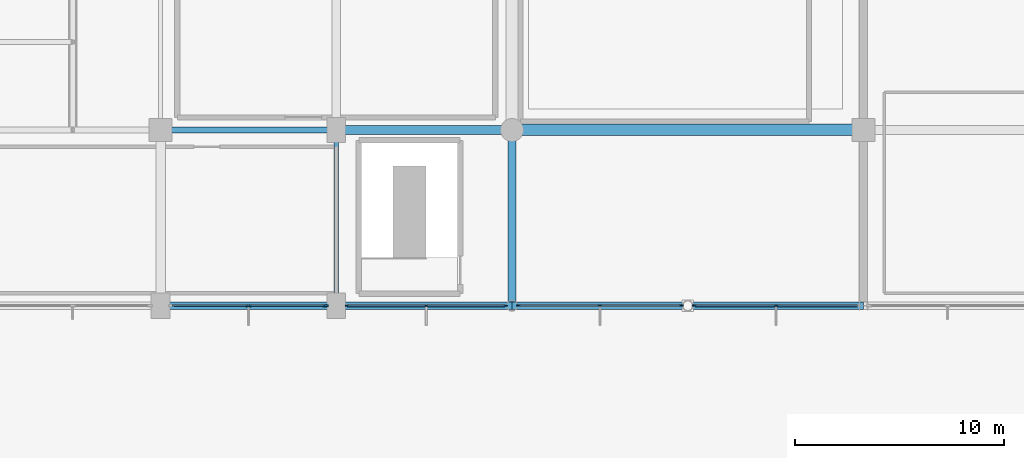
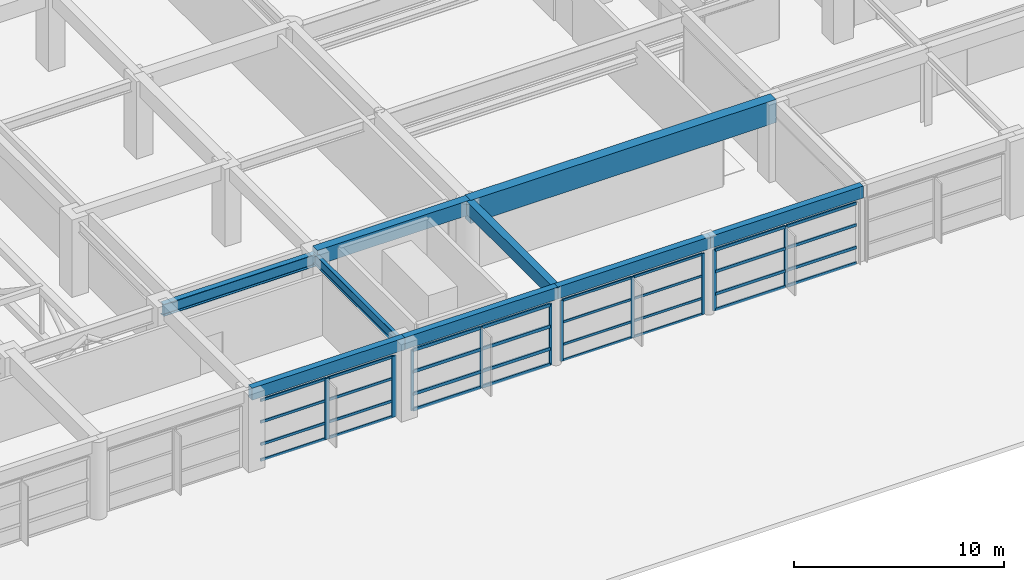
# One storey, part 27 of 47: 42 members, 9 beams, 4 elements without a shape of their own.
"""IFC4 building model written with IfcOpenShell, lengths in metres."""

from ifc_helpers import new_model, si_unit, direction, frame, origin, origin_2d, place, context, subcontext, project, spatial, rectangle, i_section, extrude, material, material_profile, profile_set, type_object, element, aggregate, save


model = new_model("IFC4")

# Units and contexts
model_context = context("Model", 3, precision=1e-05, world=origin(), true_north=direction((0.0, 1.0)))
body_context = subcontext(model_context, "Body", "Model", "MODEL_VIEW")
ifc_project = project(units=[si_unit("LENGTHUNIT", "METRE"), si_unit("AREAUNIT", "SQUARE_METRE"), si_unit("VOLUMEUNIT", "CUBIC_METRE"), si_unit("PLANEANGLEUNIT", "RADIAN"), si_unit("MASSUNIT", "GRAM", prefix="KILO")], contexts=[model_context])

# Site, building, storey
site_placement = place(None, origin())
site = spatial("IfcSite", under=ifc_project, at=site_placement, CompositionType="ELEMENT")
building_placement = place(site_placement, origin())
building = spatial("IfcBuilding", under=site, at=building_placement, Name="Xuanlan Plaza Opera House", CompositionType="ELEMENT")
storey_placement = place(building_placement, frame((0.0, 0.0, 23.39990234375)))
storey = spatial("IfcBuildingStorey", under=building, at=storey_placement, Name="L05", CompositionType="ELEMENT", Elevation=23.39990234375)

# Curtain wall, members
ifc_material_1 = material(Name="Anodised Aluminium 6063-T6 and Low-E Glass", Category="aluminium")
curtain_wall_type_1 = type_object("IfcCurtainWallType", Name="ENV-CW-CW-06", PredefinedType="USERDEFINED", material=ifc_material_1)
curtain_wall_1_placement = place(storey_placement, origin())
curtain_wall_1 = element("IfcCurtainWall", 1, at=curtain_wall_1_placement, inside=storey, type_object=curtain_wall_type_1, Name="Acoustic Glazed Wall L05-009", ObjectType="ACOUSTIC GLAZED WALL", PredefinedType="USERDEFINED")
ifc_material_2 = material(Name="Anodised Aluminium 6063-T6", Category="aluminium")
ifc_material_profile_1 = material_profile(ifc_material_2, rectangle(XDim=0.06494140625, YDim=0.159912109375, at=origin_2d()), Name="ALU-M 65x160")
ifc_profile_set_1 = profile_set([ifc_material_profile_1], Name="Anodised Aluminium 6063-T6")
member_type_1 = type_object("IfcMemberType", Name="ENV-CWM-01", PredefinedType="MULLION", material=ifc_profile_set_1)
member_1_placement = place(storey_placement, frame((101.302490234375, 33.60009765625, 0.0), z_axis=(0.0, 0.0, 1.0), x_axis=(0.0, 1.0, 0.0)))
member_1 = element("IfcMember", 2, at=member_1_placement, type_object=member_type_1, Name="CW-06 mullion 1", PredefinedType="MULLION", context=body_context, shape_type="SweptSolid", body=[
    extrude(rectangle(XDim=0.06494140625, YDim=0.159912109375, at=origin_2d()), origin(), (0.0, 0.0, 1.0), 3.5400390625),
])
member_2_placement = place(storey_placement, frame((105.097900390625, 33.60009765625, 0.0), z_axis=(0.0, 0.0, 1.0), x_axis=(0.0, 1.0, 0.0)))
member_2 = element("IfcMember", 3, at=member_2_placement, type_object=member_type_1, Name="CW-06 mullion 2", PredefinedType="MULLION", context=body_context, shape_type="SweptSolid", body=[
    extrude(rectangle(XDim=0.06494140625, YDim=0.159912109375, at=origin_2d()), origin(), (0.0, 0.0, 1.0), 3.5400390625),
])
member_3_placement = place(storey_placement, frame((108.8935546875, 33.60009765625, 0.0), z_axis=(0.0, 0.0, 1.0), x_axis=(0.0, 1.0, 0.0)))
member_3 = element("IfcMember", 4, at=member_3_placement, type_object=member_type_1, Name="CW-06 mullion 3", PredefinedType="MULLION", context=body_context, shape_type="SweptSolid", body=[
    extrude(rectangle(XDim=0.06494140625, YDim=0.159912109375, at=origin_2d()), origin(), (0.0, 0.0, 1.0), 3.5400390625),
])

curtain_wall_type_2 = type_object("IfcCurtainWallType", Name="ENV-CW-CW-05", PredefinedType="USERDEFINED", material=ifc_material_1)
curtain_wall_2_placement = place(storey_placement, origin())
curtain_wall_2 = element("IfcCurtainWall", 5, at=curtain_wall_2_placement, inside=storey, type_object=curtain_wall_type_2, Name="Acoustic Glazed Wall L05-010", ObjectType="ACOUSTIC GLAZED WALL", PredefinedType="USERDEFINED")
ifc_material_profile_2 = material_profile(ifc_material_2, rectangle(XDim=0.070068359375, YDim=0.179931640625, at=origin_2d()), Name="ALU-M 70x180")
ifc_profile_set_2 = profile_set([ifc_material_profile_2], Name="Anodised Aluminium 6063-T6")
member_type_2 = type_object("IfcMemberType", Name="ENV-CWM-02", PredefinedType="MULLION", material=ifc_profile_set_2)
member_4_placement = place(storey_placement, frame((109.509033203125, 33.60009765625, 0.0), z_axis=(0.0, 0.0, 1.0), x_axis=(0.0, 1.0, 0.0)))
member_4 = element("IfcMember", 6, at=member_4_placement, type_object=member_type_2, Name="CW-05 mullion 1", PredefinedType="MULLION", context=body_context, shape_type="SweptSolid", body=[
    extrude(rectangle(XDim=0.070068359375, YDim=0.179931640625, at=origin_2d()), origin(), (0.0, 0.0, 1.0), 3.5400390625),
])
member_5_placement = place(storey_placement, frame((113.39990234375, 33.60009765625, 0.0), z_axis=(0.0, 0.0, 1.0), x_axis=(0.0, 1.0, 0.0)))
member_5 = element("IfcMember", 7, at=member_5_placement, type_object=member_type_2, Name="CW-05 mullion 2", PredefinedType="MULLION", context=body_context, shape_type="SweptSolid", body=[
    extrude(rectangle(XDim=0.070068359375, YDim=0.179931640625, at=origin_2d()), origin(), (0.0, 0.0, 1.0), 3.5400390625),
])
member_6_placement = place(storey_placement, frame((117.291015625, 33.60009765625, 0.0), z_axis=(0.0, 0.0, 1.0), x_axis=(0.0, 1.0, 0.0)))
member_6 = element("IfcMember", 8, at=member_6_placement, type_object=member_type_2, Name="CW-05 mullion 3", PredefinedType="MULLION", context=body_context, shape_type="SweptSolid", body=[
    extrude(rectangle(XDim=0.070068359375, YDim=0.179931640625, at=origin_2d()), origin(), (0.0, 0.0, 1.0), 3.5400390625),
])

curtain_wall_3_placement = place(storey_placement, origin())
curtain_wall_3 = element("IfcCurtainWall", 9, at=curtain_wall_3_placement, inside=storey, type_object=curtain_wall_type_1, Name="Acoustic Glazed Wall L05-011", ObjectType="ACOUSTIC GLAZED WALL", PredefinedType="USERDEFINED")
ifc_material_profile_3 = material_profile(ifc_material_2, rectangle(XDim=0.074951171875, YDim=0.199951171875, at=origin_2d()), Name="ALU-M 75x200")
ifc_profile_set_3 = profile_set([ifc_material_profile_3], Name="Anodised Aluminium 6063-T6")
member_type_3 = type_object("IfcMemberType", Name="ENV-CWM-03", PredefinedType="MULLION", material=ifc_profile_set_3)
member_7_placement = place(storey_placement, frame((117.91162109375, 33.60009765625, 0.0), z_axis=(0.0, 0.0, 1.0), x_axis=(0.0, 1.0, 0.0)))
member_7 = element("IfcMember", 10, at=member_7_placement, type_object=member_type_3, Name="CW-06 mullion 1", PredefinedType="MULLION", context=body_context, shape_type="SweptSolid", body=[
    extrude(rectangle(XDim=0.074951171875, YDim=0.199951171875, at=origin_2d()), origin(), (0.0, 0.0, 1.0), 3.5400390625),
])
member_8_placement = place(storey_placement, frame((121.826904296875, 33.60009765625, 0.0), z_axis=(0.0, 0.0, 1.0), x_axis=(0.0, 1.0, 0.0)))
member_8 = element("IfcMember", 11, at=member_8_placement, type_object=member_type_3, Name="CW-06 mullion 2", PredefinedType="MULLION", context=body_context, shape_type="SweptSolid", body=[
    extrude(rectangle(XDim=0.074951171875, YDim=0.199951171875, at=origin_2d()), origin(), (0.0, 0.0, 1.0), 3.5400390625),
])

curtain_wall_4_placement = place(storey_placement, origin())
curtain_wall_4 = element("IfcCurtainWall", 12, at=curtain_wall_4_placement, inside=storey, type_object=curtain_wall_type_2, Name="Acoustic Glazed Wall L05-008", ObjectType="ACOUSTIC GLAZED WALL", PredefinedType="USERDEFINED")
ifc_material_profile_4 = material_profile(ifc_material_2, rectangle(XDim=0.090087890625, YDim=0.25, at=origin_2d()), Name="ALU-M 90x250")
ifc_profile_set_4 = profile_set([ifc_material_profile_4], Name="Anodised Aluminium 6063-T6")
member_type_4 = type_object("IfcMemberType", Name="ENV-CWM-05", PredefinedType="MULLION", material=ifc_profile_set_4)
member_9_placement = place(storey_placement, frame((96.60009765625, 33.60009765625, 0.0), z_axis=(0.0, 0.0, 1.0), x_axis=(0.0, 1.0, 0.0)))
member_9 = element("IfcMember", 13, at=member_9_placement, type_object=member_type_4, Name="CW-05 mullion 2", PredefinedType="MULLION", context=body_context, shape_type="SweptSolid", body=[
    extrude(rectangle(XDim=0.090087890625, YDim=0.25, at=origin_2d()), origin(), (0.0, 0.0, 1.0), 3.5400390625),
])
member_10_placement = place(storey_placement, frame((100.284912109375, 33.60009765625, 0.0), z_axis=(0.0, 0.0, 1.0), x_axis=(0.0, 1.0, 0.0)))
member_10 = element("IfcMember", 14, at=member_10_placement, type_object=member_type_4, Name="CW-05 mullion 3", PredefinedType="MULLION", context=body_context, shape_type="SweptSolid", body=[
    extrude(rectangle(XDim=0.090087890625, YDim=0.25, at=origin_2d()), origin(), (0.0, 0.0, 1.0), 3.5400390625),
])

# Member
ifc_material_profile_5 = material_profile(ifc_material_2, rectangle(XDim=0.070068359375, YDim=0.135009765625, at=origin_2d()), Name="ALU-T 70x135")
ifc_profile_set_5 = profile_set([ifc_material_profile_5], Name="Anodised Aluminium 6063-T6")
member_type_5 = type_object("IfcMemberType", Name="ENV-CWT-02", PredefinedType="USERDEFINED", material=ifc_profile_set_5)
member_11_placement = place(storey_placement, frame((109.5439453125, 33.60009765625, 0.03515625), z_axis=(1.0, 0.0, 0.0), x_axis=(0.0, 1.0, 0.0)))
member_11 = element("IfcMember", 15, at=member_11_placement, type_object=member_type_5, Name="CW-05 transom 1.1", ObjectType="TRANSOM", PredefinedType="USERDEFINED", context=body_context, shape_type="SweptSolid", body=[
    extrude(rectangle(XDim=0.070068359375, YDim=0.135009765625, at=origin_2d()), origin(), (0.0, 0.0, 1.0), 3.821044921875),
])

member_12_placement = place(storey_placement, frame((109.5439453125, 33.60009765625, 0.9501953125), z_axis=(1.0, 0.0, 0.0), x_axis=(0.0, 1.0, 0.0)))
member_12 = element("IfcMember", 16, at=member_12_placement, type_object=member_type_5, Name="CW-05 transom 1.2", ObjectType="TRANSOM", PredefinedType="USERDEFINED", context=body_context, shape_type="SweptSolid", body=[
    extrude(rectangle(XDim=0.070068359375, YDim=0.135009765625, at=origin_2d()), origin(), (0.0, 0.0, 1.0), 3.821044921875),
])

member_13_placement = place(storey_placement, frame((109.5439453125, 33.60009765625, 2.25), z_axis=(1.0, 0.0, 0.0), x_axis=(0.0, 1.0, 0.0)))
member_13 = element("IfcMember", 17, at=member_13_placement, type_object=member_type_5, Name="CW-05 transom 1.3", ObjectType="TRANSOM", PredefinedType="USERDEFINED", context=body_context, shape_type="SweptSolid", body=[
    extrude(rectangle(XDim=0.070068359375, YDim=0.135009765625, at=origin_2d()), origin(), (0.0, 0.0, 1.0), 3.821044921875),
])

member_14_placement = place(storey_placement, frame((109.5439453125, 33.60009765625, 3.505126953125), z_axis=(1.0, 0.0, 0.0), x_axis=(0.0, 1.0, 0.0)))
member_14 = element("IfcMember", 18, at=member_14_placement, type_object=member_type_5, Name="CW-05 transom 1.4", ObjectType="TRANSOM", PredefinedType="USERDEFINED", context=body_context, shape_type="SweptSolid", body=[
    extrude(rectangle(XDim=0.070068359375, YDim=0.135009765625, at=origin_2d()), origin(), (0.0, 0.0, 1.0), 3.821044921875),
])

member_15_placement = place(storey_placement, frame((113.43505859375, 33.60009765625, 0.03515625), z_axis=(1.0, 0.0, 0.0), x_axis=(0.0, 1.0, 0.0)))
member_15 = element("IfcMember", 19, at=member_15_placement, type_object=member_type_5, Name="CW-05 transom 2.1", ObjectType="TRANSOM", PredefinedType="USERDEFINED", context=body_context, shape_type="SweptSolid", body=[
    extrude(rectangle(XDim=0.070068359375, YDim=0.135009765625, at=origin_2d()), origin(), (0.0, 0.0, 1.0), 3.821044921875),
])

member_16_placement = place(storey_placement, frame((113.43505859375, 33.60009765625, 0.9501953125), z_axis=(1.0, 0.0, 0.0), x_axis=(0.0, 1.0, 0.0)))
member_16 = element("IfcMember", 20, at=member_16_placement, type_object=member_type_5, Name="CW-05 transom 2.2", ObjectType="TRANSOM", PredefinedType="USERDEFINED", context=body_context, shape_type="SweptSolid", body=[
    extrude(rectangle(XDim=0.070068359375, YDim=0.135009765625, at=origin_2d()), origin(), (0.0, 0.0, 1.0), 3.821044921875),
])

member_17_placement = place(storey_placement, frame((113.43505859375, 33.60009765625, 2.25), z_axis=(1.0, 0.0, 0.0), x_axis=(0.0, 1.0, 0.0)))
member_17 = element("IfcMember", 21, at=member_17_placement, type_object=member_type_5, Name="CW-05 transom 2.3", ObjectType="TRANSOM", PredefinedType="USERDEFINED", context=body_context, shape_type="SweptSolid", body=[
    extrude(rectangle(XDim=0.070068359375, YDim=0.135009765625, at=origin_2d()), origin(), (0.0, 0.0, 1.0), 3.821044921875),
])

member_18_placement = place(storey_placement, frame((113.43505859375, 33.60009765625, 3.505126953125), z_axis=(1.0, 0.0, 0.0), x_axis=(0.0, 1.0, 0.0)))
member_18 = element("IfcMember", 22, at=member_18_placement, type_object=member_type_5, Name="CW-05 transom 2.4", ObjectType="TRANSOM", PredefinedType="USERDEFINED", context=body_context, shape_type="SweptSolid", body=[
    extrude(rectangle(XDim=0.070068359375, YDim=0.135009765625, at=origin_2d()), origin(), (0.0, 0.0, 1.0), 3.821044921875),
])

aggregate(curtain_wall_2, [member_4, member_5, member_6, member_11, member_12, member_13, member_14, member_15, member_16, member_17, member_18])

ifc_material_profile_6 = material_profile(ifc_material_2, rectangle(XDim=0.074951171875, YDim=0.14990234375, at=origin_2d()), Name="ALU-T 75x150")
ifc_profile_set_6 = profile_set([ifc_material_profile_6], Name="Anodised Aluminium 6063-T6")
member_type_6 = type_object("IfcMemberType", Name="ENV-CWT-03", PredefinedType="USERDEFINED", material=ifc_profile_set_6)
member_19_placement = place(storey_placement, frame((92.9599609375, 33.60009765625, 0.03759765625), z_axis=(1.0, 0.0, 0.0), x_axis=(0.0, 1.0, 0.0)))
member_19 = element("IfcMember", 23, at=member_19_placement, type_object=member_type_6, Name="CW-05 transom 1.1", ObjectType="TRANSOM", PredefinedType="USERDEFINED", context=body_context, shape_type="SweptSolid", body=[
    extrude(rectangle(XDim=0.074951171875, YDim=0.14990234375, at=origin_2d()), origin(), (0.0, 0.0, 1.0), 3.594970703125),
])

member_20_placement = place(storey_placement, frame((92.9599609375, 33.60009765625, 0.9501953125), z_axis=(1.0, 0.0, 0.0), x_axis=(0.0, 1.0, 0.0)))
member_20 = element("IfcMember", 24, at=member_20_placement, type_object=member_type_6, Name="CW-05 transom 1.2", ObjectType="TRANSOM", PredefinedType="USERDEFINED", context=body_context, shape_type="SweptSolid", body=[
    extrude(rectangle(XDim=0.074951171875, YDim=0.14990234375, at=origin_2d()), origin(), (0.0, 0.0, 1.0), 3.594970703125),
])

member_21_placement = place(storey_placement, frame((92.9599609375, 33.60009765625, 2.25), z_axis=(1.0, 0.0, 0.0), x_axis=(0.0, 1.0, 0.0)))
member_21 = element("IfcMember", 25, at=member_21_placement, type_object=member_type_6, Name="CW-05 transom 1.3", ObjectType="TRANSOM", PredefinedType="USERDEFINED", context=body_context, shape_type="SweptSolid", body=[
    extrude(rectangle(XDim=0.074951171875, YDim=0.14990234375, at=origin_2d()), origin(), (0.0, 0.0, 1.0), 3.594970703125),
])

member_22_placement = place(storey_placement, frame((92.9599609375, 33.60009765625, 3.502685546875), z_axis=(1.0, 0.0, 0.0), x_axis=(0.0, 1.0, 0.0)))
member_22 = element("IfcMember", 26, at=member_22_placement, type_object=member_type_6, Name="CW-05 transom 1.4", ObjectType="TRANSOM", PredefinedType="USERDEFINED", context=body_context, shape_type="SweptSolid", body=[
    extrude(rectangle(XDim=0.074951171875, YDim=0.14990234375, at=origin_2d()), origin(), (0.0, 0.0, 1.0), 3.594970703125),
])

member_23_placement = place(storey_placement, frame((96.64501953125, 33.60009765625, 0.03759765625), z_axis=(1.0, 0.0, 0.0), x_axis=(0.0, 1.0, 0.0)))
member_23 = element("IfcMember", 27, at=member_23_placement, type_object=member_type_6, Name="CW-05 transom 2.1", ObjectType="TRANSOM", PredefinedType="USERDEFINED", context=body_context, shape_type="SweptSolid", body=[
    extrude(rectangle(XDim=0.074951171875, YDim=0.14990234375, at=origin_2d()), origin(), (0.0, 0.0, 1.0), 3.594970703125),
])

member_24_placement = place(storey_placement, frame((96.64501953125, 33.60009765625, 0.9501953125), z_axis=(1.0, 0.0, 0.0), x_axis=(0.0, 1.0, 0.0)))
member_24 = element("IfcMember", 28, at=member_24_placement, type_object=member_type_6, Name="CW-05 transom 2.2", ObjectType="TRANSOM", PredefinedType="USERDEFINED", context=body_context, shape_type="SweptSolid", body=[
    extrude(rectangle(XDim=0.074951171875, YDim=0.14990234375, at=origin_2d()), origin(), (0.0, 0.0, 1.0), 3.594970703125),
])

member_25_placement = place(storey_placement, frame((96.64501953125, 33.60009765625, 2.25), z_axis=(1.0, 0.0, 0.0), x_axis=(0.0, 1.0, 0.0)))
member_25 = element("IfcMember", 29, at=member_25_placement, type_object=member_type_6, Name="CW-05 transom 2.3", ObjectType="TRANSOM", PredefinedType="USERDEFINED", context=body_context, shape_type="SweptSolid", body=[
    extrude(rectangle(XDim=0.074951171875, YDim=0.14990234375, at=origin_2d()), origin(), (0.0, 0.0, 1.0), 3.594970703125),
])

member_26_placement = place(storey_placement, frame((96.64501953125, 33.60009765625, 3.502685546875), z_axis=(1.0, 0.0, 0.0), x_axis=(0.0, 1.0, 0.0)))
member_26 = element("IfcMember", 30, at=member_26_placement, type_object=member_type_6, Name="CW-05 transom 2.4", ObjectType="TRANSOM", PredefinedType="USERDEFINED", context=body_context, shape_type="SweptSolid", body=[
    extrude(rectangle(XDim=0.074951171875, YDim=0.14990234375, at=origin_2d()), origin(), (0.0, 0.0, 1.0), 3.594970703125),
])

aggregate(curtain_wall_4, [member_9, member_10, member_19, member_20, member_21, member_22, member_23, member_24, member_25, member_26])

ifc_material_profile_7 = material_profile(ifc_material_2, rectangle(XDim=0.080078125, YDim=0.1650390625, at=origin_2d()), Name="ALU-T 80x165")
ifc_profile_set_7 = profile_set([ifc_material_profile_7], Name="Anodised Aluminium 6063-T6")
member_type_7 = type_object("IfcMemberType", Name="ENV-CWT-04", PredefinedType="USERDEFINED", material=ifc_profile_set_7)
member_27_placement = place(storey_placement, frame((117.948974609375, 33.60009765625, 0.0400390625), z_axis=(1.0, 0.0, 0.0), x_axis=(0.0, 1.0, 0.0)))
member_27 = element("IfcMember", 31, at=member_27_placement, type_object=member_type_7, Name="CW-06 transom 1.1", ObjectType="TRANSOM", PredefinedType="USERDEFINED", context=body_context, shape_type="SweptSolid", body=[
    extrude(rectangle(XDim=0.080078125, YDim=0.1650390625, at=origin_2d()), origin(), (0.0, 0.0, 1.0), 3.840576171875),
])

member_28_placement = place(storey_placement, frame((117.948974609375, 33.60009765625, 0.9501953125), z_axis=(1.0, 0.0, 0.0), x_axis=(0.0, 1.0, 0.0)))
member_28 = element("IfcMember", 32, at=member_28_placement, type_object=member_type_7, Name="CW-06 transom 1.2", ObjectType="TRANSOM", PredefinedType="USERDEFINED", context=body_context, shape_type="SweptSolid", body=[
    extrude(rectangle(XDim=0.080078125, YDim=0.1650390625, at=origin_2d()), origin(), (0.0, 0.0, 1.0), 3.840576171875),
])

member_29_placement = place(storey_placement, frame((117.948974609375, 33.60009765625, 2.25), z_axis=(1.0, 0.0, 0.0), x_axis=(0.0, 1.0, 0.0)))
member_29 = element("IfcMember", 33, at=member_29_placement, type_object=member_type_7, Name="CW-06 transom 1.3", ObjectType="TRANSOM", PredefinedType="USERDEFINED", context=body_context, shape_type="SweptSolid", body=[
    extrude(rectangle(XDim=0.080078125, YDim=0.1650390625, at=origin_2d()), origin(), (0.0, 0.0, 1.0), 3.840576171875),
])

member_30_placement = place(storey_placement, frame((117.948974609375, 33.60009765625, 3.5), z_axis=(1.0, 0.0, 0.0), x_axis=(0.0, 1.0, 0.0)))
member_30 = element("IfcMember", 34, at=member_30_placement, type_object=member_type_7, Name="CW-06 transom 1.4", ObjectType="TRANSOM", PredefinedType="USERDEFINED", context=body_context, shape_type="SweptSolid", body=[
    extrude(rectangle(XDim=0.080078125, YDim=0.1650390625, at=origin_2d()), origin(), (0.0, 0.0, 1.0), 3.840576171875),
])

member_31_placement = place(storey_placement, frame((121.864501953125, 33.60009765625, 0.0400390625), z_axis=(1.0, 0.0, 0.0), x_axis=(0.0, 1.0, 0.0)))
member_31 = element("IfcMember", 35, at=member_31_placement, type_object=member_type_7, Name="CW-06 transom 2.1", ObjectType="TRANSOM", PredefinedType="USERDEFINED", context=body_context, shape_type="SweptSolid", body=[
    extrude(rectangle(XDim=0.080078125, YDim=0.1650390625, at=origin_2d()), origin(), (0.0, 0.0, 1.0), 3.840576171875),
])

member_32_placement = place(storey_placement, frame((121.864501953125, 33.60009765625, 0.9501953125), z_axis=(1.0, 0.0, 0.0), x_axis=(0.0, 1.0, 0.0)))
member_32 = element("IfcMember", 36, at=member_32_placement, type_object=member_type_7, Name="CW-06 transom 2.2", ObjectType="TRANSOM", PredefinedType="USERDEFINED", context=body_context, shape_type="SweptSolid", body=[
    extrude(rectangle(XDim=0.080078125, YDim=0.1650390625, at=origin_2d()), origin(), (0.0, 0.0, 1.0), 3.840576171875),
])

member_33_placement = place(storey_placement, frame((121.864501953125, 33.60009765625, 2.25), z_axis=(1.0, 0.0, 0.0), x_axis=(0.0, 1.0, 0.0)))
member_33 = element("IfcMember", 37, at=member_33_placement, type_object=member_type_7, Name="CW-06 transom 2.3", ObjectType="TRANSOM", PredefinedType="USERDEFINED", context=body_context, shape_type="SweptSolid", body=[
    extrude(rectangle(XDim=0.080078125, YDim=0.1650390625, at=origin_2d()), origin(), (0.0, 0.0, 1.0), 3.840576171875),
])

member_34_placement = place(storey_placement, frame((121.864501953125, 33.60009765625, 3.5), z_axis=(1.0, 0.0, 0.0), x_axis=(0.0, 1.0, 0.0)))
member_34 = element("IfcMember", 38, at=member_34_placement, type_object=member_type_7, Name="CW-06 transom 2.4", ObjectType="TRANSOM", PredefinedType="USERDEFINED", context=body_context, shape_type="SweptSolid", body=[
    extrude(rectangle(XDim=0.080078125, YDim=0.1650390625, at=origin_2d()), origin(), (0.0, 0.0, 1.0), 3.840576171875),
])

aggregate(curtain_wall_3, [member_7, member_8, member_27, member_28, member_29, member_30, member_31, member_32, member_33, member_34])

ifc_material_profile_8 = material_profile(ifc_material_2, rectangle(XDim=0.090087890625, YDim=0.179931640625, at=origin_2d()), Name="ALU-T 90x180")
ifc_profile_set_8 = profile_set([ifc_material_profile_8], Name="Anodised Aluminium 6063-T6")
member_type_8 = type_object("IfcMemberType", Name="ENV-CWT-05", PredefinedType="USERDEFINED", material=ifc_profile_set_8)
member_35_placement = place(storey_placement, frame((101.3349609375, 33.60009765625, 0.045166015625), z_axis=(1.0, 0.0, 0.0), x_axis=(0.0, 1.0, 0.0)))
member_35 = element("IfcMember", 39, at=member_35_placement, type_object=member_type_8, Name="CW-06 transom 1.1", ObjectType="TRANSOM", PredefinedType="USERDEFINED", context=body_context, shape_type="SweptSolid", body=[
    extrude(rectangle(XDim=0.090087890625, YDim=0.179931640625, at=origin_2d()), origin(), (0.0, 0.0, 1.0), 3.73046875),
])

member_36_placement = place(storey_placement, frame((101.3349609375, 33.60009765625, 0.9501953125), z_axis=(1.0, 0.0, 0.0), x_axis=(0.0, 1.0, 0.0)))
member_36 = element("IfcMember", 40, at=member_36_placement, type_object=member_type_8, Name="CW-06 transom 1.2", ObjectType="TRANSOM", PredefinedType="USERDEFINED", context=body_context, shape_type="SweptSolid", body=[
    extrude(rectangle(XDim=0.090087890625, YDim=0.179931640625, at=origin_2d()), origin(), (0.0, 0.0, 1.0), 3.73046875),
])

member_37_placement = place(storey_placement, frame((101.3349609375, 33.60009765625, 2.25), z_axis=(1.0, 0.0, 0.0), x_axis=(0.0, 1.0, 0.0)))
member_37 = element("IfcMember", 41, at=member_37_placement, type_object=member_type_8, Name="CW-06 transom 1.3", ObjectType="TRANSOM", PredefinedType="USERDEFINED", context=body_context, shape_type="SweptSolid", body=[
    extrude(rectangle(XDim=0.090087890625, YDim=0.179931640625, at=origin_2d()), origin(), (0.0, 0.0, 1.0), 3.73046875),
])

member_38_placement = place(storey_placement, frame((101.3349609375, 33.60009765625, 3.4951171875), z_axis=(1.0, 0.0, 0.0), x_axis=(0.0, 1.0, 0.0)))
member_38 = element("IfcMember", 42, at=member_38_placement, type_object=member_type_8, Name="CW-06 transom 1.4", ObjectType="TRANSOM", PredefinedType="USERDEFINED", context=body_context, shape_type="SweptSolid", body=[
    extrude(rectangle(XDim=0.090087890625, YDim=0.179931640625, at=origin_2d()), origin(), (0.0, 0.0, 1.0), 3.73046875),
])

member_39_placement = place(storey_placement, frame((105.130615234375, 33.60009765625, 0.045166015625), z_axis=(1.0, 0.0, 0.0), x_axis=(0.0, 1.0, 0.0)))
member_39 = element("IfcMember", 43, at=member_39_placement, type_object=member_type_8, Name="CW-06 transom 2.1", ObjectType="TRANSOM", PredefinedType="USERDEFINED", context=body_context, shape_type="SweptSolid", body=[
    extrude(rectangle(XDim=0.090087890625, YDim=0.179931640625, at=origin_2d()), origin(), (0.0, 0.0, 1.0), 3.73046875),
])

member_40_placement = place(storey_placement, frame((105.130615234375, 33.60009765625, 0.9501953125), z_axis=(1.0, 0.0, 0.0), x_axis=(0.0, 1.0, 0.0)))
member_40 = element("IfcMember", 44, at=member_40_placement, type_object=member_type_8, Name="CW-06 transom 2.2", ObjectType="TRANSOM", PredefinedType="USERDEFINED", context=body_context, shape_type="SweptSolid", body=[
    extrude(rectangle(XDim=0.090087890625, YDim=0.179931640625, at=origin_2d()), origin(), (0.0, 0.0, 1.0), 3.73046875),
])

member_41_placement = place(storey_placement, frame((105.130615234375, 33.60009765625, 2.25), z_axis=(1.0, 0.0, 0.0), x_axis=(0.0, 1.0, 0.0)))
member_41 = element("IfcMember", 45, at=member_41_placement, type_object=member_type_8, Name="CW-06 transom 2.3", ObjectType="TRANSOM", PredefinedType="USERDEFINED", context=body_context, shape_type="SweptSolid", body=[
    extrude(rectangle(XDim=0.090087890625, YDim=0.179931640625, at=origin_2d()), origin(), (0.0, 0.0, 1.0), 3.73046875),
])

member_42_placement = place(storey_placement, frame((105.130615234375, 33.60009765625, 3.4951171875), z_axis=(1.0, 0.0, 0.0), x_axis=(0.0, 1.0, 0.0)))
member_42 = element("IfcMember", 46, at=member_42_placement, type_object=member_type_8, Name="CW-06 transom 2.4", ObjectType="TRANSOM", PredefinedType="USERDEFINED", context=body_context, shape_type="SweptSolid", body=[
    extrude(rectangle(XDim=0.090087890625, YDim=0.179931640625, at=origin_2d()), origin(), (0.0, 0.0, 1.0), 3.73046875),
])

aggregate(curtain_wall_1, [member_1, member_2, member_3, member_35, member_36, member_37, member_38, member_39, member_40, member_41, member_42])

# Beams
ifc_material_3 = material(Name="Concrete C40", Category="concrete")
ifc_material_profile_9 = material_profile(ifc_material_3, rectangle(XDim=0.449951171875, YDim=0.85009765625, at=origin_2d()), Name="RC-BM 450x850")
ifc_profile_set_9 = profile_set([ifc_material_profile_9], Name="Concrete C40")
beam_type_1 = type_object("IfcBeamType", Name="STR-BM-B-04", PredefinedType="BEAM", material=ifc_profile_set_9)
beam_1_placement = place(storey_placement, frame((100.800048828125, 42.0, 4.0751953125), z_axis=(1.0, 0.0, 0.0), x_axis=(0.0, 1.0, 0.0)))
element("IfcBeam", 47, at=beam_1_placement, inside=storey, type_object=beam_type_1, Name="Grid Beam X L05 13-14/F", PredefinedType="BEAM", context=body_context, shape_type="SweptSolid", body=[
    extrude(rectangle(XDim=0.449951171875, YDim=0.85009765625, at=origin_2d()), origin(), (0.0, 0.0, 1.0), 8.39990234375),
])
ifc_material_profile_10 = material_profile(ifc_material_3, rectangle(XDim=0.39990234375, YDim=0.75, at=origin_2d()), Name="RC-BM 400x750")
ifc_profile_set_10 = profile_set([ifc_material_profile_10], Name="Concrete C40")
beam_type_2 = type_object("IfcBeamType", Name="STR-BM-B-06", PredefinedType="BEAM", material=ifc_profile_set_10)
beam_2_placement = place(storey_placement, frame((109.199951171875, 33.60009765625, 4.125), z_axis=(0.0, 1.0, 0.0), x_axis=(-1.0, 0.0, 0.0)))
element("IfcBeam", 48, at=beam_2_placement, inside=storey, type_object=beam_type_2, Name="Grid Beam Y L05 14/E-F", PredefinedType="BEAM", context=body_context, shape_type="SweptSolid", body=[
    extrude(rectangle(XDim=0.39990234375, YDim=0.75, at=origin_2d()), origin(), (0.0, 0.0, 1.0), 8.39990234375),
])
ifc_material_4 = material(Name="Concrete C50", Category="concrete")
ifc_material_profile_11 = material_profile(ifc_material_4, rectangle(XDim=0.550048828125, YDim=1.35009765625, at=origin_2d()), Name="RC-SPD 550x1350")
ifc_profile_set_11 = profile_set([ifc_material_profile_11], Name="Concrete C50")
beam_type_3 = type_object("IfcBeamType", Name="STR-BM-LG-SP1", PredefinedType="SPANDREL", material=ifc_profile_set_11)
beam_3_placement = place(storey_placement, frame((109.199951171875, 42.0, 3.8251953125), z_axis=(1.0, 0.0, 0.0), x_axis=(0.0, 1.0, 0.0)))
element("IfcBeam", 49, at=beam_3_placement, inside=storey, type_object=beam_type_3, Name="Grid Beam X L05 14-16/F", PredefinedType="SPANDREL", context=body_context, shape_type="SweptSolid", body=[
    extrude(rectangle(XDim=0.550048828125, YDim=1.35009765625, at=origin_2d()), origin(), (0.0, 0.0, 1.0), 16.800048828125),
])
ifc_material_5 = material(Name="Steel Q355B", Category="steel")
ifc_material_profile_12 = material_profile(ifc_material_5, i_section(OverallWidth=0.300048828125, OverallDepth=0.699951171875, WebThickness=0.012939453125, FlangeThickness=0.02392578125, FilletRadius=0.02392578125, at=origin_2d()), Name="HN 700x300x13x24")
ifc_profile_set_12 = profile_set([ifc_material_profile_12], Name="Steel Q355B")
beam_type_4 = type_object("IfcBeamType", Name="STR-BM-SB-03", PredefinedType="BEAM", material=ifc_profile_set_12)
beam_4_placement = place(storey_placement, frame((92.39990234375, 42.0, 3.905029296875), z_axis=(1.0, 0.0, 0.0), x_axis=(0.0, 1.0, 0.0)))
element("IfcBeam", 50, at=beam_4_placement, inside=storey, type_object=beam_type_4, Name="Grid Beam X L05 12-13/F", PredefinedType="BEAM", context=body_context, shape_type="SweptSolid", body=[
    extrude(i_section(OverallWidth=0.300048828125, OverallDepth=0.699951171875, WebThickness=0.012939453125, FlangeThickness=0.02392578125, FilletRadius=0.02392578125, at=origin_2d()), origin(), (0.0, 0.0, 1.0), 8.400146484375),
])
ifc_material_profile_13 = material_profile(ifc_material_5, i_section(OverallWidth=0.199951171875, OverallDepth=0.60009765625, WebThickness=0.010986328125, FlangeThickness=0.01708984375, FilletRadius=0.02197265625, at=origin_2d()), Name="HN 600x200x11x17")
ifc_profile_set_13 = profile_set([ifc_material_profile_13], Name="Steel Q355B")
beam_type_5 = type_object("IfcBeamType", Name="STR-BM-SB-04", PredefinedType="BEAM", material=ifc_profile_set_13)
beam_5_placement = place(storey_placement, frame((100.800048828125, 33.60009765625, 3.955078125), z_axis=(0.0, 1.0, 0.0), x_axis=(-1.0, 0.0, 0.0)))
element("IfcBeam", 51, at=beam_5_placement, inside=storey, type_object=beam_type_5, Name="Grid Beam Y L05 13/E-F", PredefinedType="BEAM", context=body_context, shape_type="SweptSolid", body=[
    extrude(i_section(OverallWidth=0.199951171875, OverallDepth=0.60009765625, WebThickness=0.010986328125, FlangeThickness=0.01708984375, FilletRadius=0.02197265625, at=origin_2d()), origin(), (0.0, 0.0, 1.0), 8.39990234375),
])
ifc_material_profile_14 = material_profile(ifc_material_3, rectangle(XDim=0.35009765625, YDim=0.699951171875, at=origin_2d()), Name="RC-SPD 350x700")
ifc_profile_set_14 = profile_set([ifc_material_profile_14], Name="Concrete C40")
beam_type_6 = type_object("IfcBeamType", Name="STR-BM-SP-02", PredefinedType="SPANDREL", material=ifc_profile_set_14)
beam_6_placement = place(storey_placement, frame((92.39990234375, 33.60009765625, 4.150146484375), z_axis=(1.0, 0.0, 0.0), x_axis=(0.0, 1.0, 0.0)))
element("IfcBeam", 52, at=beam_6_placement, inside=storey, type_object=beam_type_6, Name="Grid Beam X L05 12-13/E", PredefinedType="SPANDREL", context=body_context, shape_type="SweptSolid", body=[
    extrude(rectangle(XDim=0.35009765625, YDim=0.699951171875, at=origin_2d()), origin(), (0.0, 0.0, 1.0), 8.400146484375),
])
beam_7_placement = place(storey_placement, frame((100.800048828125, 33.60009765625, 4.150146484375), z_axis=(1.0, 0.0, 0.0), x_axis=(0.0, 1.0, 0.0)))
element("IfcBeam", 53, at=beam_7_placement, inside=storey, type_object=beam_type_6, Name="Grid Beam X L05 13-14/E", PredefinedType="SPANDREL", context=body_context, shape_type="SweptSolid", body=[
    extrude(rectangle(XDim=0.35009765625, YDim=0.699951171875, at=origin_2d()), origin(), (0.0, 0.0, 1.0), 8.39990234375),
])
beam_8_placement = place(storey_placement, frame((109.199951171875, 33.60009765625, 4.150146484375), z_axis=(1.0, 0.0, 0.0), x_axis=(0.0, 1.0, 0.0)))
element("IfcBeam", 54, at=beam_8_placement, inside=storey, type_object=beam_type_6, Name="Grid Beam X L05 14-15/E", PredefinedType="SPANDREL", context=body_context, shape_type="SweptSolid", body=[
    extrude(rectangle(XDim=0.35009765625, YDim=0.699951171875, at=origin_2d()), origin(), (0.0, 0.0, 1.0), 8.400146484375),
])
beam_9_placement = place(storey_placement, frame((117.60009765625, 33.60009765625, 4.150146484375), z_axis=(1.0, 0.0, 0.0), x_axis=(0.0, 1.0, 0.0)))
element("IfcBeam", 55, at=beam_9_placement, inside=storey, type_object=beam_type_6, Name="Grid Beam X L05 15-16/E", PredefinedType="SPANDREL", context=body_context, shape_type="SweptSolid", body=[
    extrude(rectangle(XDim=0.35009765625, YDim=0.699951171875, at=origin_2d()), origin(), (0.0, 0.0, 1.0), 8.39990234375),
])

save(model, "model.ifc")
